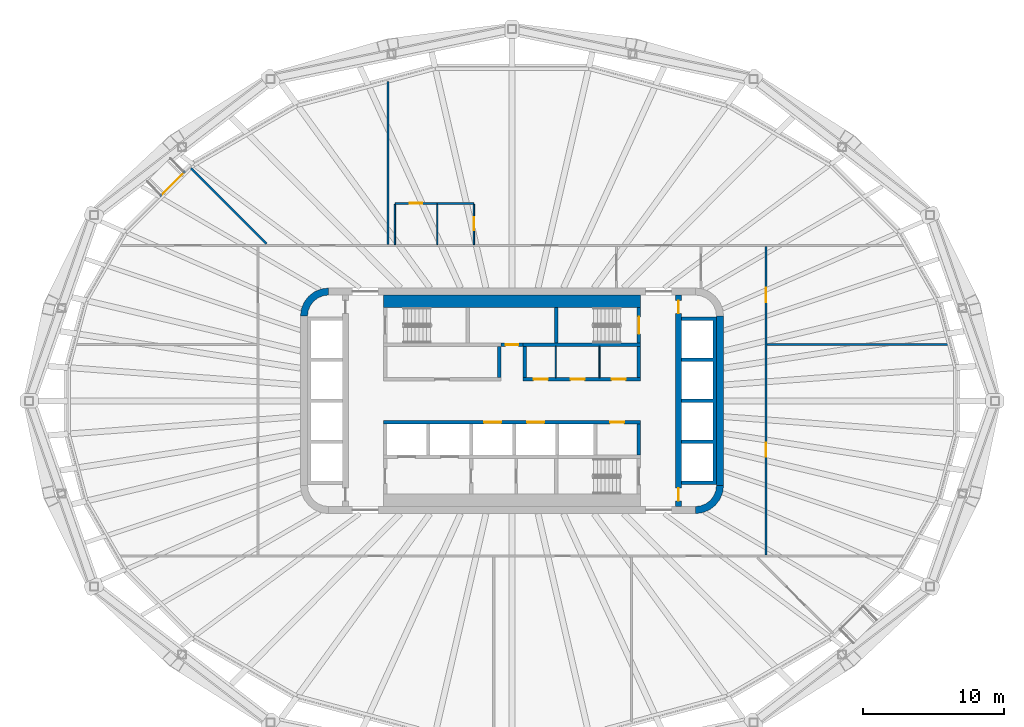
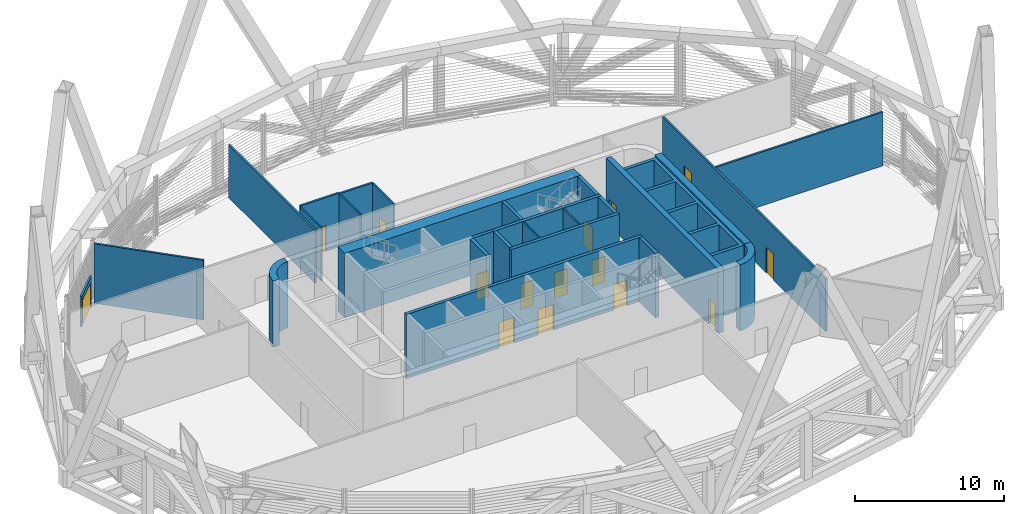
# One storey, part 7 of 18: 28 walls, 15 doors, 15 openings.
"""IFC4 building model written with IfcOpenShell, lengths in metres."""

from ifc_helpers import new_model, si_unit, direction, frame, frame_2d, origin, place, context, subcontext, project, spatial, polyline, rectangle, outline, extrude, material, layer, layer_set, type_object, element, fill, save


model = new_model("IFC4")

# Units and contexts
model_context = context("Model", 3, precision=1e-05, world=origin(), true_north=direction((0.0, 1.0)))
body_context = subcontext(model_context, "Body", "Model", "MODEL_VIEW")
ifc_project = project(units=[si_unit("LENGTHUNIT", "METRE"), si_unit("AREAUNIT", "SQUARE_METRE"), si_unit("VOLUMEUNIT", "CUBIC_METRE"), si_unit("PLANEANGLEUNIT", "RADIAN"), si_unit("MASSUNIT", "GRAM", prefix="KILO")], contexts=[model_context])

# Site, building, storey
site_placement = place(None, origin())
site = spatial("IfcSite", under=ifc_project, at=site_placement, CompositionType="ELEMENT")
building_placement = place(site_placement, origin())
building = spatial("IfcBuilding", under=site, at=building_placement, Name="Sahrelin Media Tower", CompositionType="ELEMENT")
storey_placement = place(building_placement, frame((0.0, 0.0, 148.199951171875)))
storey = spatial("IfcBuildingStorey", under=building, at=storey_placement, Name="L30", CompositionType="ELEMENT", Elevation=148.199951171875)

# Walls
ifc_material_1 = material(Name="Concrete C60/75", Category="concrete")
ifc_layer_1 = layer(ifc_material_1, 0.5)
ifc_layer_set_1 = layer_set([ifc_layer_1], Name="Core wall 500")
wall_type_1 = type_object("IfcWallType", Name="Core wall 500", PredefinedType="SHEAR", material=ifc_layer_set_1)
wall_1_placement = place(storey_placement, frame((14.75, -6.0, 0.0), z_axis=(0.0, 0.0, 1.0), x_axis=(0.0, 1.0, 0.0)))
element("IfcWall", 1, at=wall_1_placement, inside=storey, type_object=wall_type_1, Name="Core wall E L30", PredefinedType="SHEAR", context=body_context, shape_type="SweptSolid", body=[
    extrude(rectangle(XDim=12.0, YDim=0.5, at=frame_2d((6.0, 0.0))), origin(), (0.0, 0.0, 1.0), 5.400146484375),
])
placement = place(storey_placement, origin())
element("IfcWall", 2, at=placement, inside=storey, type_object=wall_type_1, Name="Core wall corner NW L30", PredefinedType="SHEAR", context=body_context, shape_type="SweptSolid", body=[
    extrude(outline(polyline([(-15.0, 6.0), (-14.49560546875, 6.0), (-14.44482421875, 6.38720703125), (-14.29541015625, 6.747802734375), (-14.0576171875, 7.0576171875), (-13.747802734375, 7.29541015625), (-13.38720703125, 7.44482421875), (-13.0, 7.49560546875), (-13.0, 8.0), (-13.517578125, 7.931884765625), (-14.0, 7.732177734375), (-14.414306640625, 7.414306640625), (-14.732177734375, 7.0), (-14.931884765625, 6.517578125), (-15.0, 6.0)])), origin(), (0.0, 0.0, 1.0), 5.400146484375),
])
element("IfcWall", 3, at=placement, inside=storey, type_object=wall_type_1, Name="Core wall corner SE L30", PredefinedType="SHEAR", context=body_context, shape_type="SweptSolid", body=[
    extrude(outline(polyline([(15.0, -6.0), (14.49560546875, -6.0), (14.44482421875, -6.38720703125), (14.29541015625, -6.747802734375), (14.0576171875, -7.0576171875), (13.747802734375, -7.29541015625), (13.38720703125, -7.44482421875), (13.0, -7.49560546875), (13.0, -8.0), (13.517578125, -7.931884765625), (14.0, -7.732177734375), (14.414306640625, -7.414306640625), (14.732177734375, -7.0), (14.931884765625, -6.517578125), (15.0, -6.0)])), origin(), (0.0, 0.0, 1.0), 5.400146484375),
])

# Wall, opening, door
ifc_material_2 = material(Name="Fire-rated gypsum board partition")
ifc_layer_2 = layer(ifc_material_2, 0.25)
ifc_layer_set_2 = layer_set([ifc_layer_2], Name="Fire-rated lobby wall 250")
wall_type_2 = type_object("IfcWallType", Name="Fire-rated lobby wall 250", PredefinedType="PARTITIONING", material=ifc_layer_set_2)
wall_4_placement = place(storey_placement, frame((-0.77490234375, 3.97509765625, 0.0), z_axis=(0.0, 0.0, 1.0), x_axis=(1.0, 0.0, 0.0)))
wall_4 = element("IfcWall", 4, at=wall_4_placement, inside=storey, type_object=wall_type_2, Name="Core lobby wall", PredefinedType="PARTITIONING", context=body_context, shape_type="SweptSolid", body=[
    extrude(rectangle(XDim=1.5498046875, YDim=0.25, at=frame_2d((0.77490234375, 0.0))), origin(), (0.0, 0.0, 1.0), 5.25),
])
opening_1_placement = place(wall_4_placement, frame((0.324951171875, 0.0, 0.0)))
opening_1 = element("IfcOpeningElement", 5, at=opening_1_placement, cuts=wall_4, Name="Opening L30-D06", PredefinedType="OPENING", context=body_context, shape_type="SweptSolid", body=[
    extrude(rectangle(XDim=0.89990234375, YDim=2.10009765625, at=frame_2d((0.449951171875, 1.050048828125))), frame((0.0, 0.125, 0.0), z_axis=(0.0, -1.0, 0.0), x_axis=(1.0, 0.0, 0.0)), (0.0, 0.0, 1.0), 0.25),
])
ifc_material_3 = material(Name="Steel fire door leaf", Category="steel")
door_type_1 = type_object("IfcDoorType", Name="Riser door 900 x 2100 EI 120", OperationType="NOTDEFINED", PredefinedType="DOOR", material=ifc_material_3)
door_1_placement = place(opening_1_placement, origin())
door_1 = element("IfcDoor", 6, at=door_1_placement, inside=storey, type_object=door_type_1, Name="Core room door", OperationType="SINGLE_SWING_LEFT", OverallHeight=2.10009765625, OverallWidth=0.89990234375, PredefinedType="DOOR", context=body_context, shape_type="SweptSolid", body=[
    extrude(rectangle(XDim=0.89990234375, YDim=2.10009765625, at=frame_2d((0.449951171875, 1.050048828125))), frame((0.0, 0.02490234375, 0.0), z_axis=(0.0, -1.0, 0.0), x_axis=(1.0, 0.0, 0.0)), (0.0, 0.0, 1.0), 0.050048828125),
])
fill(opening_1, door_1)

# Wall, openings, doors
wall_5_placement = place(storey_placement, frame((0.77490234375, 1.52490234375, 0.0), z_axis=(0.0, 0.0, 1.0), x_axis=(1.0, 0.0, 0.0)))
wall_5 = element("IfcWall", 7, at=wall_5_placement, inside=storey, type_object=wall_type_2, Name="Core lobby wall", PredefinedType="PARTITIONING", context=body_context, shape_type="SweptSolid", body=[
    extrude(rectangle(XDim=8.35009765625, YDim=0.25, at=frame_2d((4.175048828125, 0.0))), origin(), (0.0, 0.0, 1.0), 5.25),
])
opening_2_placement = place(wall_5_placement, frame((0.762451171875, 0.0, 0.0)))
opening_2 = element("IfcOpeningElement", 8, at=opening_2_placement, cuts=wall_5, Name="Opening L30-D09", PredefinedType="OPENING", context=body_context, shape_type="SweptSolid", body=[
    extrude(rectangle(XDim=1.0, YDim=2.10009765625, at=frame_2d((0.5, 1.050048828125))), frame((0.0, 0.125, 0.0), z_axis=(0.0, -1.0, 0.0), x_axis=(1.0, 0.0, 0.0)), (0.0, 0.0, 1.0), 0.25),
])
opening_3_placement = place(wall_5_placement, frame((3.375, 0.0, 0.0)))
opening_3 = element("IfcOpeningElement", 9, at=opening_3_placement, cuts=wall_5, Name="Opening L30-D10", PredefinedType="OPENING", context=body_context, shape_type="SweptSolid", body=[
    extrude(rectangle(XDim=1.0, YDim=2.10009765625, at=frame_2d((0.5, 1.050048828125))), frame((0.0, 0.125, 0.0), z_axis=(0.0, -1.0, 0.0), x_axis=(1.0, 0.0, 0.0)), (0.0, 0.0, 1.0), 0.25),
])
opening_4_placement = place(wall_5_placement, frame((6.28759765625, 0.0, 0.0)))
opening_4 = element("IfcOpeningElement", 10, at=opening_4_placement, cuts=wall_5, Name="Opening L30-D11", PredefinedType="OPENING", context=body_context, shape_type="SweptSolid", body=[
    extrude(rectangle(XDim=1.0, YDim=2.10009765625, at=frame_2d((0.5, 1.050048828125))), frame((0.0, 0.125, 0.0), z_axis=(0.0, -1.0, 0.0), x_axis=(1.0, 0.0, 0.0)), (0.0, 0.0, 1.0), 0.25),
])
door_type_2 = type_object("IfcDoorType", Name="Fire door 1000 x 2100 EI 60", OperationType="NOTDEFINED", PredefinedType="DOOR", material=ifc_material_3)
door_2_placement = place(opening_2_placement, origin())
door_2 = element("IfcDoor", 11, at=door_2_placement, inside=storey, type_object=door_type_2, Name="Core room door", OperationType="SINGLE_SWING_LEFT", OverallHeight=2.10009765625, OverallWidth=1.0, PredefinedType="DOOR", context=body_context, shape_type="SweptSolid", body=[
    extrude(rectangle(XDim=1.0, YDim=2.10009765625, at=frame_2d((0.5, 1.050048828125))), frame((0.0, 0.02490234375, 0.0), z_axis=(0.0, -1.0, 0.0), x_axis=(1.0, 0.0, 0.0)), (0.0, 0.0, 1.0), 0.050048828125),
])
fill(opening_2, door_2)
door_3_placement = place(opening_3_placement, origin())
door_3 = element("IfcDoor", 12, at=door_3_placement, inside=storey, type_object=door_type_2, Name="Core room door", OperationType="SINGLE_SWING_LEFT", OverallHeight=2.10009765625, OverallWidth=1.0, PredefinedType="DOOR", context=body_context, shape_type="SweptSolid", body=[
    extrude(rectangle(XDim=1.0, YDim=2.10009765625, at=frame_2d((0.5, 1.050048828125))), frame((0.0, 0.02490234375, 0.0), z_axis=(0.0, -1.0, 0.0), x_axis=(1.0, 0.0, 0.0)), (0.0, 0.0, 1.0), 0.050048828125),
])
fill(opening_3, door_3)
door_4_placement = place(opening_4_placement, origin())
door_4 = element("IfcDoor", 13, at=door_4_placement, inside=storey, type_object=door_type_2, Name="Core room door", OperationType="SINGLE_SWING_LEFT", OverallHeight=2.10009765625, OverallWidth=1.0, PredefinedType="DOOR", context=body_context, shape_type="SweptSolid", body=[
    extrude(rectangle(XDim=1.0, YDim=2.10009765625, at=frame_2d((0.5, 1.050048828125))), frame((0.0, 0.02490234375, 0.0), z_axis=(0.0, -1.0, 0.0), x_axis=(1.0, 0.0, 0.0)), (0.0, 0.0, 1.0), 0.050048828125),
])
fill(opening_4, door_4)

# Walls
for number, where, z_axis, x_axis, name in (
    (14, (-0.89990234375, 1.64990234375, 0.0), (0.0, 0.0, 1.0), (0.0, 1.0, 0.0), "Core lobby wall"),
    (15, (9.0, 1.64990234375, 0.0), (0.0, 0.0, 1.0), (0.0, 1.0, 0.0), "Core lobby wall"),
    (16, (0.89990234375, 1.64990234375, 0.0), (0.0, 0.0, 1.0), (0.0, 1.0, 0.0), "Core lobby wall"),
):
    element("IfcWall", number, at=place(storey_placement, frame(where, z_axis=z_axis, x_axis=x_axis)), inside=storey, type_object=wall_type_2, Name=name, PredefinedType="PARTITIONING", context=body_context, shape_type="SweptSolid", body=[
        extrude(rectangle(XDim=2.2001953125, YDim=0.25, at=frame_2d((1.10009765625, 0.0))), origin(), (0.0, 0.0, 1.0), 5.25),
    ])
ifc_layer_3 = layer(ifc_material_2, 0.10009765625)
ifc_layer_set_3 = layer_set([ifc_layer_3], Name="Fire-rated partition 100")
wall_type_3 = type_object("IfcWallType", Name="Fire-rated partition 100", PredefinedType="PARTITIONING", material=ifc_layer_set_3)
for number, where, z_axis, x_axis, name in (
    (17, (3.10009765625, 1.64990234375, 0.0), (0.0, 0.0, 1.0), (0.0, 1.0, 0.0), "Core room partition"),
    (18, (6.199951171875, 1.64990234375, 0.0), (0.0, 0.0, 1.0), (0.0, 1.0, 0.0), "Core room partition"),
):
    element("IfcWall", number, at=place(storey_placement, frame(where, z_axis=z_axis, x_axis=x_axis)), inside=storey, type_object=wall_type_3, Name=name, PredefinedType="PARTITIONING", context=body_context, shape_type="SweptSolid", body=[
        extrude(rectangle(XDim=2.2001953125, YDim=0.10009765625, at=frame_2d((1.10009765625, 0.0))), origin(), (0.0, 0.0, 1.0), 5.25),
    ])

# Wall, openings, doors
ifc_layer_4 = layer(ifc_material_2, 0.14990234375)
ifc_layer_set_4 = layer_set([ifc_layer_4], Name="Fire-rated partition 150")
wall_type_4 = type_object("IfcWallType", Name="Fire-rated partition 150", PredefinedType="PARTITIONING", material=ifc_layer_set_4)
wall_6_placement = place(storey_placement, frame((18.0, -10.925048828125, 0.0), z_axis=(0.0, 0.0, 1.0), x_axis=(0.0, 1.0, 0.0)))
wall_6 = element("IfcWall", 19, at=wall_6_placement, inside=storey, type_object=wall_type_4, Name="Wall", PredefinedType="PARTITIONING", context=body_context, shape_type="SweptSolid", body=[
    extrude(rectangle(XDim=21.85009765625, YDim=0.14990234375, at=frame_2d((10.925048828125, 0.0))), origin(), (0.0, 0.0, 1.0), 4.3271484375),
])
opening_5_placement = place(wall_6_placement, frame((6.949951171875, 0.0, 0.0)))
opening_5 = element("IfcOpeningElement", 20, at=opening_5_placement, cuts=wall_6, Name="Opening L30-D25", PredefinedType="OPENING", context=body_context, shape_type="SweptSolid", body=[
    extrude(rectangle(XDim=1.0, YDim=2.10009765625, at=frame_2d((0.5, 1.050048828125))), frame((0.0, 0.074951171875, 0.0), z_axis=(0.0, -1.0, 0.0), x_axis=(1.0, 0.0, 0.0)), (0.0, 0.0, 1.0), 0.14990234375),
])
opening_6_placement = place(wall_6_placement, frame((17.925048828125, 0.0, 0.0)))
opening_6 = element("IfcOpeningElement", 21, at=opening_6_placement, cuts=wall_6, Name="Opening L30-D26", PredefinedType="OPENING", context=body_context, shape_type="SweptSolid", body=[
    extrude(rectangle(XDim=1.0, YDim=2.10009765625, at=frame_2d((0.5, 1.050048828125))), frame((0.0, 0.074951171875, 0.0), z_axis=(0.0, -1.0, 0.0), x_axis=(1.0, 0.0, 0.0)), (0.0, 0.0, 1.0), 0.14990234375),
])
door_5_placement = place(opening_5_placement, origin())
door_5 = element("IfcDoor", 22, at=door_5_placement, inside=storey, type_object=door_type_2, Name="Fire door", OperationType="SINGLE_SWING_LEFT", OverallHeight=2.10009765625, OverallWidth=1.0, PredefinedType="DOOR", context=body_context, shape_type="SweptSolid", body=[
    extrude(rectangle(XDim=1.0, YDim=2.10009765625, at=frame_2d((0.5, 1.050048828125))), frame((0.0, 0.02490234375, 0.0), z_axis=(0.0, -1.0, 0.0), x_axis=(1.0, 0.0, 0.0)), (0.0, 0.0, 1.0), 0.050048828125),
])
fill(opening_5, door_5)
door_6_placement = place(opening_6_placement, origin())
door_6 = element("IfcDoor", 23, at=door_6_placement, inside=storey, type_object=door_type_2, Name="Fire door", OperationType="SINGLE_SWING_RIGHT", OverallHeight=2.10009765625, OverallWidth=1.0, PredefinedType="DOOR", context=body_context, shape_type="SweptSolid", body=[
    extrude(rectangle(XDim=1.0, YDim=2.10009765625, at=frame_2d((0.5, 1.050048828125))), frame((0.0, 0.02490234375, 0.0), z_axis=(0.0, -1.0, 0.0), x_axis=(1.0, 0.0, 0.0)), (0.0, 0.0, 1.0), 0.050048828125),
])
fill(opening_6, door_6)

# Walls
wall_7_placement = place(storey_placement, frame((-17.405517578125, 11.1279296875, 0.0), z_axis=(0.0, 0.0, 1.0), x_axis=(-0.707090649166, 0.707122912839, 0.0)))
element("IfcWall", 24, at=wall_7_placement, inside=storey, type_object=wall_type_4, Name="Wall", PredefinedType="PARTITIONING", context=body_context, shape_type="SweptSolid", body=[
    extrude(rectangle(XDim=7.567138671875, YDim=0.14990234375, at=frame_2d((3.78369140625, 0.0))), origin(), (0.0, 0.0, 1.0), 4.875),
])
wall_8_placement = place(storey_placement, frame((-8.777099609375, 11.074951171875, 0.0), z_axis=(0.0, 0.0, 1.0), x_axis=(0.0, 1.0, 0.0)))
element("IfcWall", 25, at=wall_8_placement, inside=storey, type_object=wall_type_4, Name="Wall", PredefinedType="PARTITIONING", context=body_context, shape_type="SweptSolid", body=[
    extrude(rectangle(XDim=11.563720703125, YDim=0.14990234375, at=frame_2d((5.78173828125, 0.0))), origin(), (0.0, 0.0, 1.0), 4.3271484375),
])
wall_9_placement = place(storey_placement, frame((18.074951171875, 4.0, 0.0), z_axis=(0.0, 0.0, 1.0), x_axis=(1.0, 0.0, 0.0)))
element("IfcWall", 26, at=wall_9_placement, inside=storey, type_object=wall_type_4, Name="Wall", PredefinedType="PARTITIONING", context=body_context, shape_type="SweptSolid", body=[
    extrude(rectangle(XDim=12.87646484375, YDim=0.14990234375, at=frame_2d((6.438232421875, 0.0))), origin(), (0.0, 0.0, 1.0), 4.39501953125),
])

# Wall, opening, door
wall_10_placement = place(storey_placement, frame((-8.302001953125, 14.0, 0.0), z_axis=(0.0, 0.0, 1.0), x_axis=(1.0, 0.0, 0.0)))
wall_10 = element("IfcWall", 27, at=wall_10_placement, inside=storey, type_object=wall_type_4, Name="Wall", PredefinedType="PARTITIONING", context=body_context, shape_type="SweptSolid", body=[
    extrude(rectangle(XDim=3.0, YDim=0.14990234375, at=frame_2d((1.5, 0.0))), origin(), (0.0, 0.0, 1.0), 4.39501953125),
])
opening_7_placement = place(wall_10_placement, frame((1.050048828125, 0.0, 0.0)))
opening_7 = element("IfcOpeningElement", 28, at=opening_7_placement, cuts=wall_10, Name="Opening L30-D33", PredefinedType="OPENING", context=body_context, shape_type="SweptSolid", body=[
    extrude(rectangle(XDim=0.89990234375, YDim=2.10009765625, at=frame_2d((0.449951171875, 1.050048828125))), frame((0.0, 0.074951171875, 0.0), z_axis=(0.0, -1.0, 0.0), x_axis=(1.0, 0.0, 0.0)), (0.0, 0.0, 1.0), 0.14990234375),
])
ifc_material_4 = material(Name="Timber door leaf", Category="wood")
door_type_3 = type_object("IfcDoorType", Name="Single door 900 x 2100", OperationType="NOTDEFINED", PredefinedType="DOOR", material=ifc_material_4)
door_7_placement = place(opening_7_placement, origin())
door_7 = element("IfcDoor", 29, at=door_7_placement, inside=storey, type_object=door_type_3, Name="Single door", OperationType="SINGLE_SWING_RIGHT", OverallHeight=2.10009765625, OverallWidth=0.89990234375, PredefinedType="DOOR", context=body_context, shape_type="SweptSolid", body=[
    extrude(rectangle(XDim=0.89990234375, YDim=2.10009765625, at=frame_2d((0.449951171875, 1.050048828125))), frame((0.0, 0.02490234375, 0.0), z_axis=(0.0, -1.0, 0.0), x_axis=(1.0, 0.0, 0.0)), (0.0, 0.0, 1.0), 0.050048828125),
])
fill(opening_7, door_7)

# Wall
wall_11_placement = place(storey_placement, frame((-5.302001953125, 14.0, 0.0), z_axis=(0.0, 0.0, 1.0), x_axis=(1.0, 0.0, 0.0)))
element("IfcWall", 30, at=wall_11_placement, inside=storey, type_object=wall_type_4, Name="Wall", PredefinedType="PARTITIONING", context=body_context, shape_type="SweptSolid", body=[
    extrude(rectangle(XDim=2.60009765625, YDim=0.14990234375, at=frame_2d((1.300048828125, 0.0))), origin(), (0.0, 0.0, 1.0), 4.3271484375),
])

# Wall, openings, doors
ifc_layer_5 = layer(ifc_material_1, 0.25)
ifc_layer_set_5 = layer_set([ifc_layer_5], Name="Lift shaft wall 250")
wall_type_5 = type_object("IfcWallType", Name="Lift shaft wall 250", PredefinedType="SOLIDWALL", material=ifc_layer_set_5)
wall_12_placement = place(storey_placement, frame((-9.125, -1.52490234375, 0.0), z_axis=(0.0, 0.0, 1.0), x_axis=(1.0, 0.0, 0.0)))
wall_12 = element("IfcWall", 31, at=wall_12_placement, inside=storey, type_object=wall_type_5, Name="Lift shaft wall", PredefinedType="SOLIDWALL", context=body_context, shape_type="SweptSolid", body=[
    extrude(rectangle(XDim=18.25, YDim=0.25, at=frame_2d((9.125, 0.0))), origin(), (0.0, 0.0, 1.0), 5.25),
])
opening_8_placement = place(wall_12_placement, frame((7.14990234375, 0.0, 0.0)))
opening_8 = element("IfcOpeningElement", 32, at=opening_8_placement, cuts=wall_12, Name="Opening L30-LD-SV1", PredefinedType="OPENING", context=body_context, shape_type="SweptSolid", body=[
    extrude(rectangle(XDim=1.199951171875, YDim=2.10009765625, at=frame_2d((0.60009765625, 1.050048828125))), frame((0.0, 0.125, 0.0), z_axis=(0.0, -1.0, 0.0), x_axis=(1.0, 0.0, 0.0)), (0.0, 0.0, 1.0), 0.25),
])
opening_9_placement = place(wall_12_placement, frame((10.199951171875, 0.0, 0.0)))
opening_9 = element("IfcOpeningElement", 33, at=opening_9_placement, cuts=wall_12, Name="Opening L30-LD-SV2", PredefinedType="OPENING", context=body_context, shape_type="SweptSolid", body=[
    extrude(rectangle(XDim=1.199951171875, YDim=2.10009765625, at=frame_2d((0.60009765625, 1.050048828125))), frame((0.0, 0.125, 0.0), z_axis=(0.0, -1.0, 0.0), x_axis=(1.0, 0.0, 0.0)), (0.0, 0.0, 1.0), 0.25),
])
opening_10_placement = place(wall_12_placement, frame((16.074951171875, 0.0, 0.0)))
opening_10 = element("IfcOpeningElement", 34, at=opening_10_placement, cuts=wall_12, Name="Opening L30-D12", PredefinedType="OPENING", context=body_context, shape_type="SweptSolid", body=[
    extrude(rectangle(XDim=1.0, YDim=2.10009765625, at=frame_2d((0.5, 1.050048828125))), frame((0.0, 0.125, 0.0), z_axis=(0.0, -1.0, 0.0), x_axis=(1.0, 0.0, 0.0)), (0.0, 0.0, 1.0), 0.25),
])
door_8_placement = place(opening_10_placement, origin())
door_8 = element("IfcDoor", 35, at=door_8_placement, inside=storey, type_object=door_type_2, Name="Core room door", OperationType="SINGLE_SWING_RIGHT", OverallHeight=2.10009765625, OverallWidth=1.0, PredefinedType="DOOR", context=body_context, shape_type="SweptSolid", body=[
    extrude(rectangle(XDim=1.0, YDim=2.10009765625, at=frame_2d((0.5, 1.050048828125))), frame((0.0, 0.02490234375, 0.0), z_axis=(0.0, -1.0, 0.0), x_axis=(1.0, 0.0, 0.0)), (0.0, 0.0, 1.0), 0.050048828125),
])
fill(opening_10, door_8)
ifc_material_5 = material(Name="Stainless steel", Category="steel")
door_type_4 = type_object("IfcDoorType", Name="Lift landing door 1200 x 2100 EI 120", OperationType="DOUBLE_DOOR_SLIDING", PredefinedType="DOOR", material=ifc_material_5)
door_9_placement = place(opening_8_placement, origin())
door_9 = element("IfcDoor", 36, at=door_9_placement, inside=storey, type_object=door_type_4, Name="Lift landing door SV1", OperationType="DOUBLE_DOOR_SLIDING", OverallHeight=2.10009765625, OverallWidth=1.199951171875, PredefinedType="DOOR", context=body_context, shape_type="SweptSolid", body=[
    extrude(rectangle(XDim=1.199951171875, YDim=2.10009765625, at=frame_2d((0.60009765625, 1.050048828125))), frame((0.0, 0.02490234375, 0.0), z_axis=(0.0, -1.0, 0.0), x_axis=(1.0, 0.0, 0.0)), (0.0, 0.0, 1.0), 0.050048828125),
])
fill(opening_8, door_9)
door_10_placement = place(opening_9_placement, origin())
door_10 = element("IfcDoor", 37, at=door_10_placement, inside=storey, type_object=door_type_4, Name="Lift landing door SV2", OperationType="DOUBLE_DOOR_SLIDING", OverallHeight=2.10009765625, OverallWidth=1.199951171875, PredefinedType="DOOR", context=body_context, shape_type="SweptSolid", body=[
    extrude(rectangle(XDim=1.199951171875, YDim=2.10009765625, at=frame_2d((0.60009765625, 1.050048828125))), frame((0.0, 0.02490234375, 0.0), z_axis=(0.0, -1.0, 0.0), x_axis=(1.0, 0.0, 0.0)), (0.0, 0.0, 1.0), 0.050048828125),
])
fill(opening_9, door_10)

# Walls
wall_13_placement = place(storey_placement, frame((9.0, -3.85009765625, 0.0), z_axis=(0.0, 0.0, 1.0), x_axis=(0.0, 1.0, 0.0)))
element("IfcWall", 38, at=wall_13_placement, inside=storey, type_object=wall_type_5, Name="Lift shaft wall", PredefinedType="SOLIDWALL", context=body_context, shape_type="SweptSolid", body=[
    extrude(rectangle(XDim=2.2001953125, YDim=0.25, at=frame_2d((1.10009765625, 0.0))), origin(), (0.0, 0.0, 1.0), 5.25),
])
element("IfcWall", 39, at=placement, inside=storey, type_object=wall_type_5, Name="Lift shaft wall", PredefinedType="SOLIDWALL", context=body_context, shape_type="SweptSolid", body=[
    extrude(outline(polyline([(12.0, -5.675048828125), (12.0, -5.925048828125), (14.25, -5.925048828125), (14.5, -5.925048828125), (14.5, -5.675048828125), (14.5, -3.02490234375), (14.5, -2.77490234375), (14.5, -0.125), (14.5, 0.125), (14.5, 2.77490234375), (14.5, 3.02490234375), (14.5, 5.675048828125), (14.5, 5.925048828125), (14.25, 5.925048828125), (12.0, 5.925048828125), (12.0, 5.675048828125), (14.25, 5.675048828125), (14.25, 3.02490234375), (12.0, 3.02490234375), (12.0, 2.77490234375), (14.25, 2.77490234375), (14.25, 0.125), (12.0, 0.125), (12.0, -0.125), (14.25, -0.125), (14.25, -2.77490234375), (12.0, -2.77490234375), (12.0, -3.02490234375), (14.25, -3.02490234375), (14.25, -5.675048828125), (12.0, -5.675048828125)])), origin(), (0.0, 0.0, 1.0), 5.25),
])

# Wall, openings, doors
ifc_layer_6 = layer(ifc_material_1, 0.39990234375)
ifc_layer_set_6 = layer_set([ifc_layer_6], Name="Lift shaft wall 400")
wall_type_6 = type_object("IfcWallType", Name="Lift shaft wall 400", PredefinedType="SOLIDWALL", material=ifc_layer_set_6)
wall_15_placement = place(storey_placement, frame((11.800048828125, -7.5, 0.0), z_axis=(0.0, 0.0, 1.0), x_axis=(0.0, 1.0, 0.0)))
wall_15 = element("IfcWall", 40, at=wall_15_placement, inside=storey, type_object=wall_type_6, Name="Lift shaft wall", PredefinedType="SOLIDWALL", context=body_context, shape_type="SweptSolid", body=[
    extrude(rectangle(XDim=15.0, YDim=0.39990234375, at=frame_2d((7.5, 0.0))), origin(), (0.0, 0.0, 1.0), 5.25),
])
opening_11_placement = place(wall_15_placement, frame((13.696533203125, 0.0, 0.0)))
opening_11 = element("IfcOpeningElement", 41, at=opening_11_placement, cuts=wall_15, Name="Opening L30-D15", PredefinedType="OPENING", context=body_context, shape_type="SweptSolid", body=[
    extrude(rectangle(XDim=0.89990234375, YDim=2.10009765625, at=frame_2d((0.449951171875, 1.050048828125))), frame((0.0, 0.199951171875, 0.0), z_axis=(0.0, -1.0, 0.0), x_axis=(1.0, 0.0, 0.0)), (0.0, 0.0, 1.0), 0.39990234375),
])
opening_12_placement = place(wall_15_placement, frame((0.4033203125, 0.0, 0.0)))
opening_12 = element("IfcOpeningElement", 42, at=opening_12_placement, cuts=wall_15, Name="Opening L30-D16", PredefinedType="OPENING", context=body_context, shape_type="SweptSolid", body=[
    extrude(rectangle(XDim=0.89990234375, YDim=2.10009765625, at=frame_2d((0.449951171875, 1.050048828125))), frame((0.0, 0.199951171875, 0.0), z_axis=(0.0, -1.0, 0.0), x_axis=(1.0, 0.0, 0.0)), (0.0, 0.0, 1.0), 0.39990234375),
])
door_11_placement = place(opening_11_placement, origin())
door_11 = element("IfcDoor", 43, at=door_11_placement, inside=storey, type_object=door_type_1, Name="Riser door", OperationType="SINGLE_SWING_RIGHT", OverallHeight=2.10009765625, OverallWidth=0.89990234375, PredefinedType="DOOR", context=body_context, shape_type="SweptSolid", body=[
    extrude(rectangle(XDim=0.89990234375, YDim=2.10009765625, at=frame_2d((0.449951171875, 1.050048828125))), frame((0.0, 0.02490234375, 0.0), z_axis=(0.0, -1.0, 0.0), x_axis=(1.0, 0.0, 0.0)), (0.0, 0.0, 1.0), 0.050048828125),
])
fill(opening_11, door_11)
door_12_placement = place(opening_12_placement, origin())
door_12 = element("IfcDoor", 44, at=door_12_placement, inside=storey, type_object=door_type_1, Name="Riser door", OperationType="SINGLE_SWING_RIGHT", OverallHeight=2.10009765625, OverallWidth=0.89990234375, PredefinedType="DOOR", context=body_context, shape_type="SweptSolid", body=[
    extrude(rectangle(XDim=0.89990234375, YDim=2.10009765625, at=frame_2d((0.449951171875, 1.050048828125))), frame((0.0, 0.02490234375, 0.0), z_axis=(0.0, -1.0, 0.0), x_axis=(1.0, 0.0, 0.0)), (0.0, 0.0, 1.0), 0.050048828125),
])
fill(opening_12, door_12)

# Walls
ifc_material_6 = material(Name="Gypsum board partition")
ifc_layer_7 = layer(ifc_material_6, 0.10009765625)
ifc_layer_set_7 = layer_set([ifc_layer_7], Name="Partition 100")
wall_type_7 = type_object("IfcWallType", Name="Partition 100", PredefinedType="PARTITIONING", material=ifc_layer_set_7)
wall_16_placement = place(storey_placement, frame((-8.302001953125, 11.074951171875, 0.0), z_axis=(0.0, 0.0, 1.0), x_axis=(0.0, 1.0, 0.0)))
element("IfcWall", 45, at=wall_16_placement, inside=storey, type_object=wall_type_7, Name="Wall", PredefinedType="PARTITIONING", context=body_context, shape_type="SweptSolid", body=[
    extrude(rectangle(XDim=2.85009765625, YDim=0.10009765625, at=frame_2d((1.425048828125, 0.0))), origin(), (0.0, 0.0, 1.0), 4.3271484375),
])
wall_17_placement = place(storey_placement, frame((-5.302001953125, 11.074951171875, 0.0), z_axis=(0.0, 0.0, 1.0), x_axis=(0.0, 1.0, 0.0)))
element("IfcWall", 46, at=wall_17_placement, inside=storey, type_object=wall_type_7, Name="Wall", PredefinedType="PARTITIONING", context=body_context, shape_type="SweptSolid", body=[
    extrude(rectangle(XDim=2.85009765625, YDim=0.10009765625, at=frame_2d((1.425048828125, 0.0))), origin(), (0.0, 0.0, 1.0), 4.39501953125),
])

# Wall, opening, door
wall_18_placement = place(storey_placement, frame((-2.701904296875, 11.074951171875, 0.0), z_axis=(0.0, 0.0, 1.0), x_axis=(0.0, 1.0, 0.0)))
wall_18 = element("IfcWall", 47, at=wall_18_placement, inside=storey, type_object=wall_type_7, Name="Wall", PredefinedType="PARTITIONING", context=body_context, shape_type="SweptSolid", body=[
    extrude(rectangle(XDim=2.85009765625, YDim=0.10009765625, at=frame_2d((1.425048828125, 0.0))), origin(), (0.0, 0.0, 1.0), 4.3271484375),
])
opening_13_placement = place(wall_18_placement, frame((1.02490234375, 0.0, 0.0)))
opening_13 = element("IfcOpeningElement", 48, at=opening_13_placement, cuts=wall_18, Name="Opening L30-D34", PredefinedType="OPENING", context=body_context, shape_type="SweptSolid", body=[
    extrude(rectangle(XDim=0.89990234375, YDim=2.10009765625, at=frame_2d((0.449951171875, 1.050048828125))), frame((0.0, 0.050048828125, 0.0), z_axis=(0.0, -1.0, 0.0), x_axis=(1.0, 0.0, 0.0)), (0.0, 0.0, 1.0), 0.10009765625),
])
door_13_placement = place(opening_13_placement, origin())
door_13 = element("IfcDoor", 49, at=door_13_placement, inside=storey, type_object=door_type_3, Name="Single door", OperationType="SINGLE_SWING_RIGHT", OverallHeight=2.10009765625, OverallWidth=0.89990234375, PredefinedType="DOOR", context=body_context, shape_type="SweptSolid", body=[
    extrude(rectangle(XDim=0.89990234375, YDim=2.10009765625, at=frame_2d((0.449951171875, 1.050048828125))), frame((0.0, 0.02490234375, 0.0), z_axis=(0.0, -1.0, 0.0), x_axis=(1.0, 0.0, 0.0)), (0.0, 0.0, 1.0), 0.050048828125),
])
fill(opening_13, door_13)

ifc_material_7 = material(Name="Aluminium louvre cladding 6063-T6", Category="aluminium")
ifc_layer_8 = layer(ifc_material_7, 0.14990234375)
ifc_layer_set_8 = layer_set([ifc_layer_8], Name="Plant louvre door wall")
wall_type_8 = type_object("IfcWallType", Name="Plant louvre door wall", PredefinedType="SOLIDWALL", material=ifc_layer_set_8)
wall_19_placement = place(storey_placement, frame((-24.947998046875, 14.498779296875, 0.0), z_axis=(0.0, 0.0, 1.0), x_axis=(0.707057949532, 0.707155609469, 0.0)))
wall_19 = element("IfcWall", 50, at=wall_19_placement, inside=storey, type_object=wall_type_8, Name="Plant louvre door wall L30-09", PredefinedType="SOLIDWALL", context=body_context, shape_type="SweptSolid", body=[
    extrude(rectangle(XDim=2.5, YDim=0.14990234375, at=frame_2d((1.25, 0.0))), origin(), (0.0, 0.0, 1.0), 2.5),
])
opening_14_placement = place(wall_19_placement, frame((0.14990234375, 0.0, 0.0)))
opening_14 = element("IfcOpeningElement", 51, at=opening_14_placement, cuts=wall_19, Name="Opening MD05", PredefinedType="OPENING", context=body_context, shape_type="SweptSolid", body=[
    extrude(rectangle(XDim=2.199951171875, YDim=2.10009765625, at=frame_2d((1.10009765625, 1.050048828125))), frame((0.0, 0.074951171875, 0.0), z_axis=(0.0, -1.0, 0.0), x_axis=(1.0, 0.0, 0.0)), (0.0, 0.0, 1.0), 0.14990234375),
])
ifc_material_8 = material(Name="Champagne anodised aluminium 6063-T6", Category="aluminium")
door_type_5 = type_object("IfcDoorType", Name="Plant maintenance door 2200x2100", OperationType="DOUBLE_DOOR_SINGLE_SWING", PredefinedType="DOOR", material=ifc_material_8)
door_14_placement = place(opening_14_placement, origin())
door_14 = element("IfcDoor", 52, at=door_14_placement, inside=storey, type_object=door_type_5, Name="Plant maintenance door MD05", OperationType="DOUBLE_DOOR_SINGLE_SWING", OverallHeight=2.10009765625, OverallWidth=2.199951171875, PredefinedType="DOOR", context=body_context, shape_type="SweptSolid", body=[
    extrude(rectangle(XDim=2.199951171875, YDim=2.10009765625, at=frame_2d((1.10009765625, 1.050048828125))), frame((0.0, 0.02490234375, 0.0), z_axis=(0.0, -1.0, 0.0), x_axis=(1.0, 0.0, 0.0)), (0.0, 0.0, 1.0), 0.050048828125),
])
fill(opening_14, door_14)

ifc_layer_9 = layer(ifc_material_1, 0.25)
ifc_layer_set_9 = layer_set([ifc_layer_9], Name="Stair enclosure wall 250")
wall_type_9 = type_object("IfcWallType", Name="Stair enclosure wall 250", PredefinedType="SOLIDWALL", material=ifc_layer_set_9)
wall_20_placement = place(storey_placement, frame((9.0, 4.10009765625, 0.0), z_axis=(0.0, 0.0, 1.0), x_axis=(0.0, 1.0, 0.0)))
wall_20 = element("IfcWall", 53, at=wall_20_placement, inside=storey, type_object=wall_type_9, Name="Stair enclosure wall", PredefinedType="SOLIDWALL", context=body_context, shape_type="SweptSolid", body=[
    extrude(rectangle(XDim=2.5, YDim=0.25, at=frame_2d((1.25, 0.0))), origin(), (0.0, 0.0, 1.0), 5.25),
])
opening_15_placement = place(wall_20_placement, frame((0.64990234375, 0.0, 0.0)))
opening_15 = element("IfcOpeningElement", 54, at=opening_15_placement, cuts=wall_20, Name="Opening L30-D02", PredefinedType="OPENING", context=body_context, shape_type="SweptSolid", body=[
    extrude(rectangle(XDim=1.199951171875, YDim=2.10009765625, at=frame_2d((0.60009765625, 1.050048828125))), frame((0.0, 0.125, 0.0), z_axis=(0.0, -1.0, 0.0), x_axis=(1.0, 0.0, 0.0)), (0.0, 0.0, 1.0), 0.25),
])
door_type_6 = type_object("IfcDoorType", Name="Stair door 1200 x 2100 EI 120", OperationType="NOTDEFINED", PredefinedType="DOOR", material=ifc_material_3)
door_15_placement = place(opening_15_placement, origin())
door_15 = element("IfcDoor", 55, at=door_15_placement, inside=storey, type_object=door_type_6, Name="Stair door ST3", OperationType="SINGLE_SWING_LEFT", OverallHeight=2.10009765625, OverallWidth=1.199951171875, PredefinedType="DOOR", context=body_context, shape_type="SweptSolid", body=[
    extrude(rectangle(XDim=1.199951171875, YDim=2.10009765625, at=frame_2d((0.60009765625, 1.050048828125))), frame((0.0, 0.02490234375, 0.0), z_axis=(0.0, -1.0, 0.0), x_axis=(1.0, 0.0, 0.0)), (0.0, 0.0, 1.0), 0.050048828125),
])
fill(opening_15, door_15)

# Walls
wall_21_placement = place(storey_placement, frame((3.14990234375, 4.10009765625, 0.0), z_axis=(0.0, 0.0, 1.0), x_axis=(0.0, 1.0, 0.0)))
element("IfcWall", 56, at=wall_21_placement, inside=storey, type_object=wall_type_9, Name="Stair enclosure wall", PredefinedType="SOLIDWALL", context=body_context, shape_type="SweptSolid", body=[
    extrude(rectangle(XDim=2.5, YDim=0.25, at=frame_2d((1.25, 0.0))), origin(), (0.0, 0.0, 1.0), 5.25),
])
wall_22_placement = place(storey_placement, frame((0.77490234375, 3.97509765625, 0.0), z_axis=(0.0, 0.0, 1.0), x_axis=(1.0, 0.0, 0.0)))
element("IfcWall", 57, at=wall_22_placement, inside=storey, type_object=wall_type_9, Name="Stair enclosure wall", PredefinedType="SOLIDWALL", context=body_context, shape_type="SweptSolid", body=[
    extrude(rectangle(XDim=8.35009765625, YDim=0.25, at=frame_2d((4.175048828125, 0.0))), origin(), (0.0, 0.0, 1.0), 5.25),
])
ifc_layer_10 = layer(ifc_material_1, 0.89990234375)
ifc_layer_set_10 = layer_set([ifc_layer_10], Name="Stair enclosure wall 900")
wall_type_10 = type_object("IfcWallType", Name="Stair enclosure wall 900", PredefinedType="SOLIDWALL", material=ifc_layer_set_10)
wall_23_placement = place(storey_placement, frame((-9.125, 7.050048828125, 0.0), z_axis=(0.0, 0.0, 1.0), x_axis=(1.0, 0.0, 0.0)))
element("IfcWall", 58, at=wall_23_placement, inside=storey, type_object=wall_type_10, Name="Stair enclosure wall", PredefinedType="SOLIDWALL", context=body_context, shape_type="SweptSolid", body=[
    extrude(rectangle(XDim=18.25, YDim=0.89990234375, at=frame_2d((9.125, 0.0))), origin(), (0.0, 0.0, 1.0), 5.25),
])

save(model, "model.ifc")
